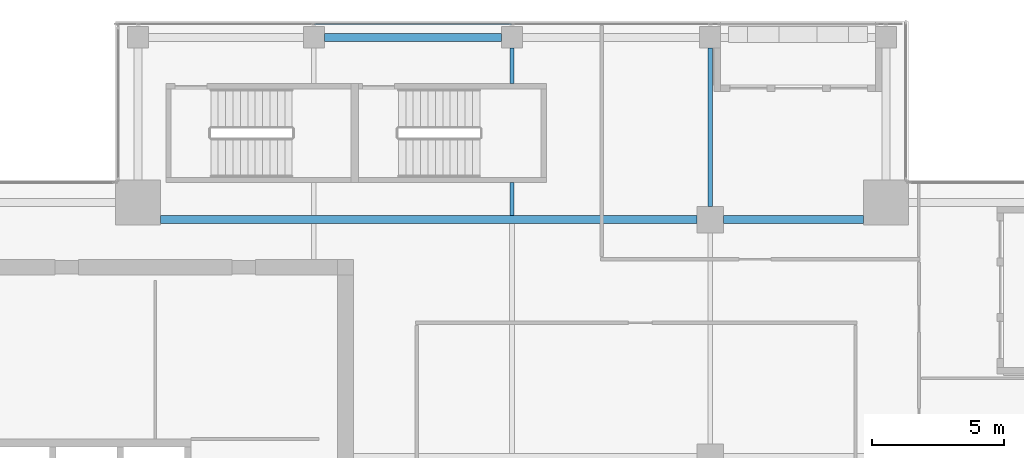
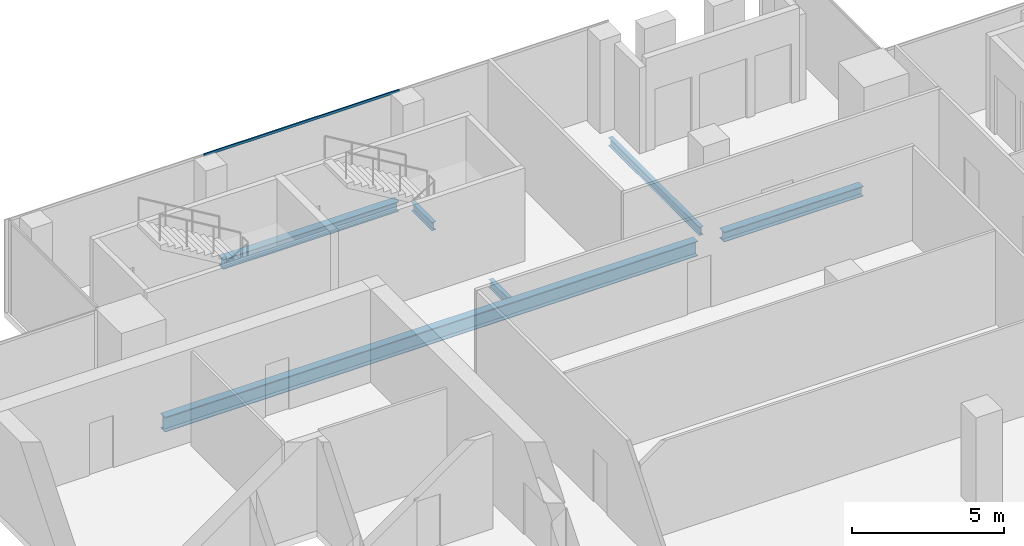
# One storey, part 16 of 29: 6 beams, 1 member, 1 element without a shape of its own.
"""IFC4 building model written with IfcOpenShell, lengths in metres."""

import ifcopenshell
import ifcopenshell.guid

model = None  # the IFC model being written
_history = None  # IfcOwnerHistory: only IFC2X3 demands one
_inside = {}  # id of a spatial element -> (the spatial element, [elements in it])
_under = {}  # id of a project, library or spatial element -> (it, [spatial elements below it])
_declared = {}  # id of a project -> (the project, [libraries it declares])
_typed = {}  # id of a type object -> (the type object, [elements of that type])
_made_of = {}  # id of a material, layer set ... -> (it, [elements and type objects made of it])


def new_model(schema):
    """Start an empty IFC model of exactly this schema.

    Asked for "IFC4X3", IfcOpenShell would pick the latest addendum, in which some entities
    have other attributes; the version numbers below select the first issue.
    IFC2X3 requires an IfcOwnerHistory on every rooted entity: one is made here for all.
    """
    global model, _history
    if schema == "IFC4X3":
        model = ifcopenshell.file(schema_version=(4, 3, 0, 0))
    else:
        model = ifcopenshell.file(schema=schema)
    _inside.clear()
    _under.clear()
    _declared.clear()
    _typed.clear()
    _made_of.clear()
    _history = None
    if model.schema == "IFC2X3":
        org = make("IfcOrganization", Name="unknown")
        user = make(
            "IfcPersonAndOrganization",
            ThePerson=make("IfcPerson", FamilyName="unknown"),
            TheOrganization=org,
        )
        app = make(
            "IfcApplication",
            ApplicationDeveloper=org,
            Version="unknown",
            ApplicationFullName="unknown",
            ApplicationIdentifier="unknown",
        )
        _history = make(
            "IfcOwnerHistory",
            OwningUser=user,
            OwningApplication=app,
            ChangeAction="ADDED",
            CreationDate=0,
        )
    return model


def make(cls, **values):
    """One entity of the class cls with the attributes given. An attribute that is None is left unset."""
    return model.create_entity(
        cls, **{name: value for name, value in values.items() if value is not None}
    )


def rooted(cls, **values):
    """An entity with a GlobalId (a new one), such as an element, a storey or a relation."""
    return make(cls, GlobalId=ifcopenshell.guid.new(), OwnerHistory=_history, **values)


def si_unit(unit_type, name, prefix=None):
    """IfcSIUnit, for example si_unit("LENGTHUNIT", "METRE", prefix="MILLI")."""
    return make("IfcSIUnit", UnitType=unit_type, Prefix=prefix, Name=name)


def assignment(units):
    """IfcUnitAssignment: the units of a project."""
    return None if units is None else make("IfcUnitAssignment", Units=units)


def point(xyz):
    """IfcCartesianPoint."""
    return None if xyz is None else make("IfcCartesianPoint", Coordinates=xyz)


def direction(xyz):
    """IfcDirection."""
    return None if xyz is None else make("IfcDirection", DirectionRatios=xyz)


def frame(location, z_axis=None, x_axis=None):
    """IfcAxis2Placement3D, a coordinate frame: its origin and axes. An axis left out is left unset."""
    return make(
        "IfcAxis2Placement3D",
        Location=point(location),
        Axis=direction(z_axis),
        RefDirection=direction(x_axis),
    )


def frame_2d(location, x_axis=None):
    """IfcAxis2Placement2D, a coordinate frame in the plane: its origin and x axis."""
    return make(
        "IfcAxis2Placement2D", Location=point(location), RefDirection=direction(x_axis)
    )


def origin():
    """The frame at (0, 0, 0) with its axes left unset."""
    return frame((0.0, 0.0, 0.0))


def origin_2d():
    """The frame at (0, 0) in the plane with its x axis left unset."""
    return frame_2d((0.0, 0.0))


def place(relative_to, where):
    """IfcLocalPlacement: puts the frame where relative to a parent placement (None: the world)."""
    return make(
        "IfcLocalPlacement", PlacementRelTo=relative_to, RelativePlacement=where
    )


def context(
    kind, dimensions, precision=None, world=None, true_north=None, identifier=None
):
    """IfcGeometricRepresentationContext, for example the 3D "Model" context."""
    return make(
        "IfcGeometricRepresentationContext",
        ContextIdentifier=identifier,
        ContextType=kind,
        CoordinateSpaceDimension=dimensions,
        Precision=precision,
        WorldCoordinateSystem=world,
        TrueNorth=true_north,
    )


def subcontext(parent, identifier, kind, view, scale=None):
    """IfcGeometricRepresentationSubContext, for example "Body" below "Model"."""
    return make(
        "IfcGeometricRepresentationSubContext",
        ContextIdentifier=identifier,
        ContextType=kind,
        ParentContext=parent,
        TargetScale=scale,
        TargetView=view,
    )


def project(units=None, contexts=None):
    """IfcProject with its units and contexts."""
    return rooted(
        "IfcProject",
        Name="project",
        RepresentationContexts=contexts,
        UnitsInContext=assignment(units),
    )


def spatial(cls, under=None, at=None, **own):
    """A site, building, storey or space (cls), placed at a placement, below another one or the project."""
    s = rooted(cls, ObjectPlacement=at, **own)
    if under is not None:
        _under.setdefault(under.id(), (under, []))[1].append(s)
    return s


def profile(cls, at=None, kind="AREA", **sizes):
    """A parametric profile (cls). Its sizes go by their IFC names, for example OverallWidth=200.0."""
    return make(cls, ProfileType=kind, Position=at, **sizes)


def hollow_rectangle(**sizes):
    """IfcRectangleHollowProfileDef."""
    return profile("IfcRectangleHollowProfileDef", **sizes)


def i_section(**sizes):
    """IfcIShapeProfileDef."""
    return profile("IfcIShapeProfileDef", **sizes)


def extrude(swept, where, along, depth):
    """IfcExtrudedAreaSolid: the profile swept, set in the frame where, extruded along a direction by depth."""
    return make(
        "IfcExtrudedAreaSolid",
        SweptArea=swept,
        Position=where,
        ExtrudedDirection=direction(along),
        Depth=depth,
    )


def shape(context_of_items, identifier, shape_type, items):
    """IfcShapeRepresentation: the items that make up one representation, for example the "Body"."""
    return make(
        "IfcShapeRepresentation",
        ContextOfItems=context_of_items,
        RepresentationIdentifier=identifier,
        RepresentationType=shape_type,
        Items=items,
    )


def source(mapping_origin, context_of_items, identifier, shape_type, items):
    """IfcRepresentationMap: a shape defined once, which mapped items show again and again."""
    return make(
        "IfcRepresentationMap",
        MappingOrigin=mapping_origin,
        MappedRepresentation=shape(context_of_items, identifier, shape_type, items),
    )


def transform(
    local_origin,
    x_axis=None,
    y_axis=None,
    z_axis=None,
    scale=None,
    scale2=None,
    scale3=None,
    uniform=True,
):
    """IfcCartesianTransformationOperator3D, or its non-uniform kind. x_axis, y_axis, z_axis: its Axis1, 2, 3."""
    if uniform:
        return make(
            "IfcCartesianTransformationOperator3D",
            Axis1=direction(x_axis),
            Axis2=direction(y_axis),
            LocalOrigin=point(local_origin),
            Scale=scale,
            Axis3=direction(z_axis),
        )
    return make(
        "IfcCartesianTransformationOperator3DnonUniform",
        Axis1=direction(x_axis),
        Axis2=direction(y_axis),
        LocalOrigin=point(local_origin),
        Scale=scale,
        Axis3=direction(z_axis),
        Scale2=scale2,
        Scale3=scale3,
    )


def mapped(mapping_source, mapping_target):
    """IfcMappedItem: shows the shape of a source again, moved by a transform."""
    return make(
        "IfcMappedItem", MappingSource=mapping_source, MappingTarget=mapping_target
    )


def material(Name=None, Category=None):
    """IfcMaterial."""
    return make("IfcMaterial", Name=Name, Category=Category)


def material_profile(
    of_material, cross_section, Name=None, Category=None, Priority=None
):
    """IfcMaterialProfile: a cross section and its material."""
    return make(
        "IfcMaterialProfile",
        Name=Name,
        Material=of_material,
        Profile=cross_section,
        Priority=Priority,
        Category=Category,
    )


def profile_set(profiles, Name=None, composite=None):
    """IfcMaterialProfileSet."""
    return make(
        "IfcMaterialProfileSet",
        Name=Name,
        MaterialProfiles=profiles,
        CompositeProfile=composite,
    )


def made_of(thing, what):
    """Note that an element or type object is made of a material, layer set ...; save() writes the relation."""
    if what is not None:
        _made_of.setdefault(what.id(), (what, []))[1].append(thing)
    return thing


def type_object(cls, material=None, **own):
    """A type object (cls), such as IfcWallType, which elements share."""
    return made_of(rooted(cls, **own), material)


def element(
    cls,
    number,
    at=None,
    inside=None,
    cuts=None,
    type_object=None,
    material=None,
    context=None,
    identifier="Body",
    shape_type=None,
    held_by="IfcProductDefinitionShape",
    body=None,
    shapes=None,
    **own,
):
    """One element of the class cls, such as IfcWall. Its Tag is "e" and its number.

    at: its placement. inside: the storey or other place that contains it. cuts: it is an
    opening in that element (IfcRelVoidsElement). A single representation is given by context,
    identifier, shape_type and body (its items); several are given by shapes. held_by: the class
    of the entity that holds the representations. save() writes the other relations.
    """
    e = rooted(cls, Tag="e%d" % number, ObjectPlacement=at, **own)
    if body is not None:
        shapes = [shape(context, identifier, shape_type, body)]
    if shapes is not None:
        e.Representation = make(held_by, Representations=shapes)
    if inside is not None:
        _inside.setdefault(inside.id(), (inside, []))[1].append(e)
    if cuts is not None:
        rooted(
            "IfcRelVoidsElement", RelatingBuildingElement=cuts, RelatedOpeningElement=e
        )
    if type_object is not None:
        _typed.setdefault(type_object.id(), (type_object, []))[1].append(e)
    return made_of(e, material)


def aggregate(whole, parts):
    """IfcRelAggregates: a whole, such as a stair, and the parts it consists of."""
    return rooted("IfcRelAggregates", RelatingObject=whole, RelatedObjects=parts)


def save(model, path):
    """Write the relations noted so far, then the file.

    IfcRelAggregates (storeys below a building ...), IfcRelContainedInSpatialStructure (elements
    in a storey), IfcRelDefinesByType, IfcRelAssociatesMaterial and IfcRelDeclares: one each for
    every whole, place, type object, material and project.
    """
    for whole, parts in _under.values():
        aggregate(whole, parts)
    for where, things in _inside.values():
        rooted(
            "IfcRelContainedInSpatialStructure",
            RelatedElements=things,
            RelatingStructure=where,
        )
    for kind, things in _typed.values():
        rooted("IfcRelDefinesByType", RelatedObjects=things, RelatingType=kind)
    for what, things in _made_of.values():
        rooted("IfcRelAssociatesMaterial", RelatedObjects=things, RelatingMaterial=what)
    for by, libraries in _declared.values():
        rooted("IfcRelDeclares", RelatingContext=by, RelatedDefinitions=libraries)
    model.write(path)


model = new_model("IFC4")

# Units and contexts
model_context = context("Model", 3, precision=1e-05, world=origin(), true_north=direction((0.0, 1.0)))
body_context = subcontext(model_context, "Body", "Model", "MODEL_VIEW")
ifc_project = project(units=[si_unit("LENGTHUNIT", "METRE"), si_unit("AREAUNIT", "SQUARE_METRE"), si_unit("VOLUMEUNIT", "CUBIC_METRE"), si_unit("PLANEANGLEUNIT", "RADIAN"), si_unit("MASSUNIT", "GRAM", prefix="KILO")], contexts=[model_context])

# Site, building, storey
site_placement = place(None, origin())
site = spatial("IfcSite", under=ifc_project, at=site_placement, CompositionType="ELEMENT")
building_placement = place(site_placement, origin())
building = spatial("IfcBuilding", under=site, at=building_placement, Name="Khomas Fold Tower", CompositionType="ELEMENT")
storey_placement = place(building_placement, frame((0.0, 0.0, 314.199951171875)))
storey = spatial("IfcBuildingStorey", under=building, at=storey_placement, Name="L71", CompositionType="ELEMENT", Elevation=314.199951171875)

# Beams
ifc_material_1 = material(Name="Steel S355", Category="steel")
ifc_material_profile_1 = material_profile(ifc_material_1, i_section(OverallWidth=0.159912109375, OverallDepth=0.330078125, WebThickness=0.007568359375, FlangeThickness=0.011474609375, at=origin_2d()), Name="IPE 330")
ifc_profile_set_1 = profile_set([ifc_material_profile_1], Name="Steel S355")
beam_type_1 = type_object("IfcBeamType", Name="IPE 330 beam JB1", PredefinedType="BEAM", material=ifc_profile_set_1)
shared_shape_1 = source(origin(), body_context, "Body", "SweptSolid", [
    extrude(i_section(OverallWidth=0.159912109375, OverallDepth=0.330078125, WebThickness=0.007568359375, FlangeThickness=0.011474609375, at=origin_2d()), origin(), (0.0, 0.0, 1.0), 1.25),
])
beam_1_placement = place(storey_placement, frame((27.0, 40.64990234375, -0.4150390625), z_axis=(0.0, 1.0, 0.0), x_axis=(-1.0, 0.0, 0.0)))
element("IfcBeam", 1, at=beam_1_placement, inside=storey, type_object=beam_type_1, Name="JB1", PredefinedType="BEAM", context=body_context, shape_type="MappedRepresentation", body=[
    mapped(shared_shape_1, transform((0.0, 0.0, 0.0))),
])
shared_shape_2 = source(origin(), body_context, "Body", "SweptSolid", [
    extrude(i_section(OverallWidth=0.159912109375, OverallDepth=0.330078125, WebThickness=0.007568359375, FlangeThickness=0.011474609375, at=origin_2d()), origin(), (0.0, 0.0, 1.0), 1.35009765625),
])
beam_2_placement = place(storey_placement, frame((27.0, 45.64990234375, -0.4150390625), z_axis=(0.0, 1.0, 0.0), x_axis=(-1.0, 0.0, 0.0)))
element("IfcBeam", 2, at=beam_2_placement, inside=storey, type_object=beam_type_1, Name="JB1", PredefinedType="BEAM", context=body_context, shape_type="MappedRepresentation", body=[
    mapped(shared_shape_2, transform((0.0, 0.0, 0.0))),
])
ifc_material_2 = material(Name="Steel S355", Category="steel")
ifc_material_profile_2 = material_profile(ifc_material_2, i_section(OverallWidth=0.300048828125, OverallDepth=0.39990234375, WebThickness=0.013427734375, FlangeThickness=0.02392578125, at=origin_2d()), Name="HE 400 B")
ifc_profile_set_2 = profile_set([ifc_material_profile_2], Name="Steel S355")
beam_type_2 = type_object("IfcBeamType", Name="HE 400 B spandrel SB5", PredefinedType="SPANDREL", material=ifc_profile_set_2)
shared_shape_3 = source(origin(), body_context, "Body", "SweptSolid", [
    extrude(i_section(OverallWidth=0.300048828125, OverallDepth=0.39990234375, WebThickness=0.013427734375, FlangeThickness=0.02392578125, at=origin_2d()), origin(), (0.0, 0.0, 1.0), 6.7001953125),
])
beam_3_placement = place(storey_placement, frame((19.89990234375, 47.39990234375, -0.449951171875), z_axis=(1.0, 0.0, 0.0), x_axis=(0.0, 1.0, 0.0)))
element("IfcBeam", 3, at=beam_3_placement, inside=storey, type_object=beam_type_2, Name="SB5", PredefinedType="SPANDREL", context=body_context, shape_type="MappedRepresentation", body=[
    mapped(shared_shape_3, transform((0.0, 0.0, 0.0))),
])
ifc_material_3 = material(Name="Steel S355", Category="steel")
ifc_material_profile_3 = material_profile(ifc_material_3, i_section(OverallWidth=0.300048828125, OverallDepth=0.60009765625, WebThickness=0.015380859375, FlangeThickness=0.030029296875, at=origin_2d()), Name="HE 600 B")
ifc_profile_set_3 = profile_set([ifc_material_profile_3], Name="Steel S355")
beam_type_3 = type_object("IfcBeamType", Name="HE 600 B beam GB5", PredefinedType="BEAM", material=ifc_profile_set_3)
shared_shape_4 = source(origin(), body_context, "Body", "SweptSolid", [
    extrude(i_section(OverallWidth=0.300048828125, OverallDepth=0.60009765625, WebThickness=0.015380859375, FlangeThickness=0.030029296875, at=origin_2d()), origin(), (0.0, 0.0, 1.0), 20.300048828125),
])
beam_4_placement = place(storey_placement, frame((13.699951171875, 40.5, -0.550048828125), z_axis=(1.0, 0.0, 0.0), x_axis=(0.0, 1.0, 0.0)))
element("IfcBeam", 4, at=beam_4_placement, inside=storey, type_object=beam_type_3, Name="GB5", PredefinedType="BEAM", context=body_context, shape_type="MappedRepresentation", body=[
    mapped(shared_shape_4, transform((0.0, 0.0, 0.0))),
])
ifc_material_4 = material(Name="Steel S355", Category="steel")
ifc_material_profile_4 = material_profile(ifc_material_4, i_section(OverallWidth=0.300048828125, OverallDepth=0.39990234375, WebThickness=0.013427734375, FlangeThickness=0.02392578125, at=origin_2d()), Name="HE 400 B")
ifc_profile_set_4 = profile_set([ifc_material_profile_4], Name="Steel S355")
beam_type_4 = type_object("IfcBeamType", Name="HE 400 B beam GB1", PredefinedType="BEAM", material=ifc_profile_set_4)
shared_shape_5 = source(origin(), body_context, "Body", "SweptSolid", [
    extrude(i_section(OverallWidth=0.300048828125, OverallDepth=0.39990234375, WebThickness=0.013427734375, FlangeThickness=0.02392578125, at=origin_2d()), origin(), (0.0, 0.0, 1.0), 5.300048828125),
])
beam_5_placement = place(storey_placement, frame((35.0, 40.5, -0.449951171875), z_axis=(1.0, 0.0, 0.0), x_axis=(0.0, 1.0, 0.0)))
element("IfcBeam", 5, at=beam_5_placement, inside=storey, type_object=beam_type_4, Name="GB1", PredefinedType="BEAM", context=body_context, shape_type="MappedRepresentation", body=[
    mapped(shared_shape_5, transform((0.0, 0.0, 0.0))),
])
shared_shape_6 = source(origin(), body_context, "Body", "SweptSolid", [
    extrude(i_section(OverallWidth=0.159912109375, OverallDepth=0.330078125, WebThickness=0.007568359375, FlangeThickness=0.011474609375, at=origin_2d()), origin(), (0.0, 0.0, 1.0), 6.0),
])
beam_6_placement = place(storey_placement, frame((34.5, 41.0, -0.4150390625), z_axis=(0.0, 1.0, 0.0), x_axis=(-1.0, 0.0, 0.0)))
element("IfcBeam", 6, at=beam_6_placement, inside=storey, type_object=beam_type_1, Name="JB1", PredefinedType="BEAM", context=body_context, shape_type="MappedRepresentation", body=[
    mapped(shared_shape_6, transform((0.0, 0.0, 0.0))),
])

# Curtain wall, member
ifc_material_5 = material(Name="Aluminium framed double glazing", Category="aluminium")
curtain_wall_type = type_object("IfcCurtainWallType", Name="SK-Unitised clear-glass wall, upper floors CW3", PredefinedType="NOTDEFINED", material=ifc_material_5)
curtain_wall_placement = place(storey_placement, origin())
curtain_wall = element("IfcCurtainWall", 7, at=curtain_wall_placement, inside=storey, type_object=curtain_wall_type, Name="CW3 run L71 06-1", PredefinedType="NOTDEFINED")
ifc_material_6 = material(Name="Aluminium", Category="aluminium")
ifc_material_profile_5 = material_profile(ifc_material_6, hollow_rectangle(XDim=0.050048828125, YDim=0.10009765625, WallThickness=0.00390625, at=origin_2d()), Name="SK-Unitised clear-glass wall, upper floors transom CW3-T")
ifc_profile_set_5 = profile_set([ifc_material_profile_5], Name="Aluminium")
member_type = type_object("IfcMemberType", Name="SK-Unitised clear-glass wall, upper floors transom CW3-T", PredefinedType="USERDEFINED", material=ifc_profile_set_5)
shared_shape_7 = source(origin(), body_context, "Body", "SweptSolid", [
    extrude(hollow_rectangle(XDim=0.050048828125, YDim=0.10009765625, WallThickness=0.00390625, at=origin_2d()), origin(), (0.0, 0.0, 1.0), 7.4501953125),
])
member_placement = place(storey_placement, frame((26.97509765625, 47.89990234375, 3.699951171875), z_axis=(-1.0, 0.0, 0.0), x_axis=(0.0, -1.0, 0.0)))
member = element("IfcMember", 8, at=member_placement, type_object=member_type, Name="CW3 transom 3", ObjectType="TRANSOM", PredefinedType="USERDEFINED", context=body_context, shape_type="MappedRepresentation", body=[
    mapped(shared_shape_7, transform((0.0, 0.0, 0.0))),
])
aggregate(curtain_wall, [member])

save(model, "model.ifc")
